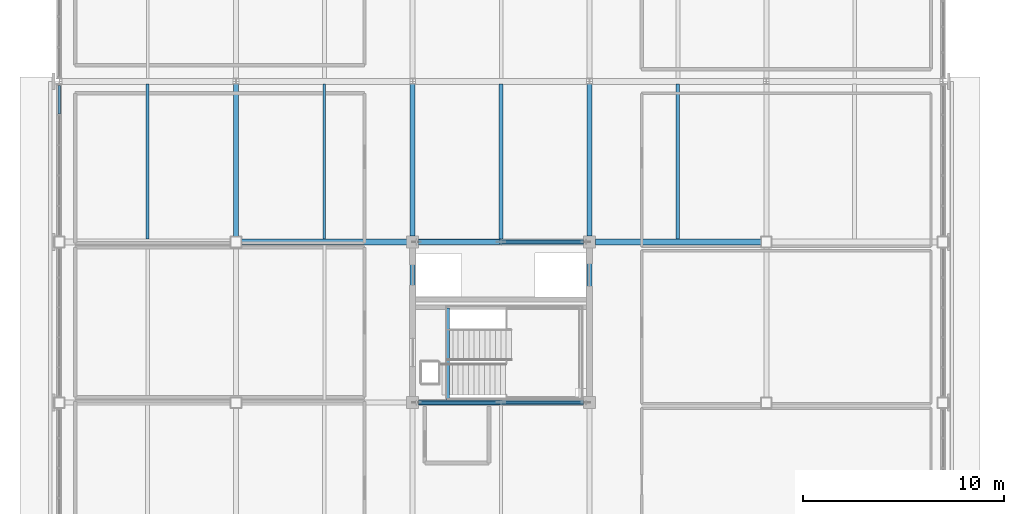
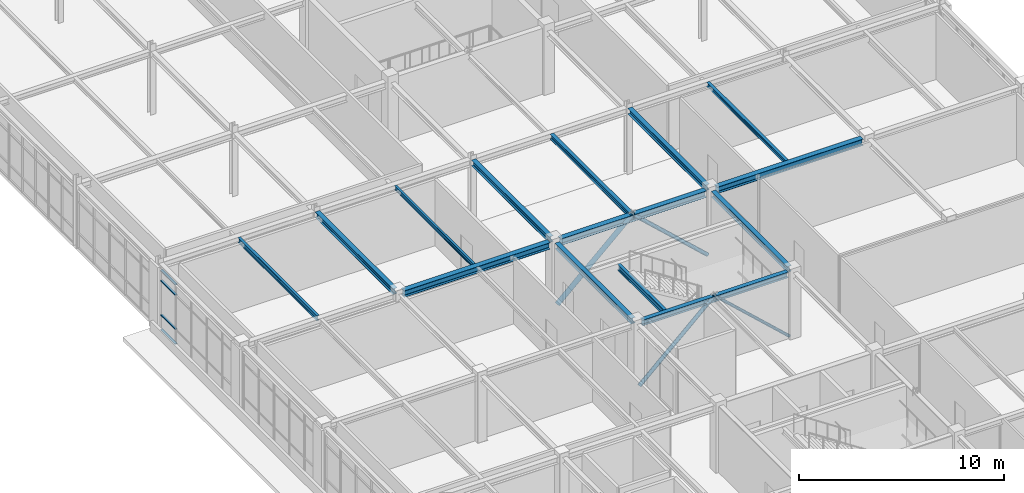
# One storey, part 15 of 64: 14 beams, 8 members, 1 element without a shape of its own.
"""IFC4 building model written with IfcOpenShell, lengths in metres."""

from ifc_helpers import new_model, si_unit, direction, frame, origin, origin_2d, place, context, subcontext, project, spatial, rectangle, hollow_circle, i_section, extrude, material, material_profile, profile_set, type_object, element, aggregate, save


model = new_model("IFC4")

# Units and contexts
model_context = context("Model", 3, precision=1e-05, world=origin(), true_north=direction((0.0, 1.0)))
body_context = subcontext(model_context, "Body", "Model", "MODEL_VIEW")
ifc_project = project(units=[si_unit("LENGTHUNIT", "METRE"), si_unit("AREAUNIT", "SQUARE_METRE"), si_unit("VOLUMEUNIT", "CUBIC_METRE"), si_unit("PLANEANGLEUNIT", "RADIAN"), si_unit("MASSUNIT", "GRAM", prefix="KILO")], contexts=[model_context])

# Site, building, storey
site_placement = place(None, origin())
site = spatial("IfcSite", under=ifc_project, at=site_placement, CompositionType="ELEMENT")
building_placement = place(site_placement, origin())
building = spatial("IfcBuilding", under=site, at=building_placement, Name="Zhaolan Boulevard Law Courts", CompositionType="ELEMENT")
storey_placement = place(building_placement, frame((0.0, 0.0, 20.39990234375)))
storey = spatial("IfcBuildingStorey", under=building, at=storey_placement, Name="L04", CompositionType="ELEMENT", Elevation=20.39990234375)

# Members
ifc_material_1 = material(Name="Structural steel Q355B", Category="steel")
ifc_material_profile_1 = material_profile(ifc_material_1, hollow_circle(Radius=0.109619140625, WallThickness=0.008056640625, at=origin_2d()), Name="CHS219x8")
ifc_profile_set_1 = profile_set([ifc_material_profile_1], Name="Structural steel Q355B")
member_type_1 = type_object("IfcMemberType", Name="BRACE CHS219", PredefinedType="BRACE", material=ifc_profile_set_1)
for number, where, z_axis, x_axis, name in (
    (1, (26.219970703125, 70.0, 0.030029296875), (-0.73525664892, 0.0, 0.677788802076), (0.0, -1.0, 0.0), "Core Brace BR-W2-L04-N2"),
    (2, (17.780029296875, 62.0, 0.030029296875), (0.73525664892, 0.0, 0.677788802076), (0.0, 1.0, 0.0), "Core Brace BR-W2-L04-S1"),
):
    element("IfcMember", number, at=place(storey_placement, frame(where, z_axis=z_axis, x_axis=x_axis)), inside=storey, type_object=member_type_1, Name=name, PredefinedType="BRACE", context=body_context, shape_type="SweptSolid", body=[
        extrude(hollow_circle(Radius=0.109619140625, WallThickness=0.008056640625, at=origin_2d()), origin(), (0.0, 0.0, 1.0), 5.739501953125),
    ])
ifc_material_2 = material(Name="Structural steel Q355B", Category="steel")
ifc_material_profile_2 = material_profile(ifc_material_2, hollow_circle(Radius=0.136474609375, WallThickness=0.010009765625, at=origin_2d()), Name="CHS273x10")
ifc_profile_set_2 = profile_set([ifc_material_profile_2], Name="Structural steel Q355B")
member_type_2 = type_object("IfcMemberType", Name="BRACE CHS273", PredefinedType="BRACE", material=ifc_profile_set_2)
member_1_placement = place(storey_placement, frame((17.780029296875, 70.0, 0.030029296875), z_axis=(0.73525664892, 0.0, 0.677788802076), x_axis=(0.0, 1.0, 0.0)))
element("IfcMember", 3, at=member_1_placement, inside=storey, type_object=member_type_2, Name="Core Brace BR-W2-L04-N1", PredefinedType="BRACE", context=body_context, shape_type="SweptSolid", body=[
    extrude(hollow_circle(Radius=0.136474609375, WallThickness=0.010009765625, at=origin_2d()), origin(), (0.0, 0.0, 1.0), 5.739501953125),
])

# Curtain wall, members
ifc_material_3 = material(Name="Thermally broken aluminium and low-E glazing", Category="aluminium")
curtain_wall_type = type_object("IfcCurtainWallType", Name="CURTAIN WALL M3", PredefinedType="USERDEFINED", material=ifc_material_3)
curtain_wall_placement = place(storey_placement, origin())
curtain_wall = element("IfcCurtainWall", 4, at=curtain_wall_placement, inside=storey, type_object=curtain_wall_type, Name="Curtain Wall CW-L04-195", ObjectType="CURTAIN WALL", PredefinedType="USERDEFINED")
ifc_material_4 = material(Name="Fluorocarbon-coated aluminium 6063-T6", Category="aluminium")
ifc_material_profile_3 = material_profile(ifc_material_4, rectangle(XDim=0.1201171875, YDim=0.06005859375, at=origin_2d()), Name="AL60x120")
ifc_profile_set_3 = profile_set([ifc_material_profile_3], Name="Fluorocarbon-coated aluminium 6063-T6")
member_type_3 = type_object("IfcMemberType", Name="CWTRANSOM 60X120", PredefinedType="USERDEFINED", material=ifc_profile_set_3)
member_2_placement = place(storey_placement, frame((0.0, 77.7880859375, 0.030029296875), z_axis=(0.0, -1.0, 0.0), x_axis=(1.0, 0.0, 0.0)))
member_2 = element("IfcMember", 5, at=member_2_placement, type_object=member_type_3, Name="CW-L04-195 transom 1.1", ObjectType="TRANSOM", PredefinedType="USERDEFINED", context=body_context, shape_type="SweptSolid", body=[
    extrude(rectangle(XDim=0.1201171875, YDim=0.06005859375, at=origin_2d()), origin(), (0.0, 0.0, 1.0), 1.42431640625),
])
member_3_placement = place(storey_placement, frame((0.0, 77.7880859375, 0.900146484375), z_axis=(0.0, -1.0, 0.0), x_axis=(1.0, 0.0, 0.0)))
member_3 = element("IfcMember", 6, at=member_3_placement, type_object=member_type_3, Name="CW-L04-195 transom 1.2", ObjectType="TRANSOM", PredefinedType="USERDEFINED", context=body_context, shape_type="SweptSolid", body=[
    extrude(rectangle(XDim=0.1201171875, YDim=0.06005859375, at=origin_2d()), origin(), (0.0, 0.0, 1.0), 1.42431640625),
])
member_4_placement = place(storey_placement, frame((0.0, 77.7880859375, 2.943115234375), z_axis=(0.0, -1.0, 0.0), x_axis=(1.0, 0.0, 0.0)))
member_4 = element("IfcMember", 7, at=member_4_placement, type_object=member_type_3, Name="CW-L04-195 transom 1.3", ObjectType="TRANSOM", PredefinedType="USERDEFINED", context=body_context, shape_type="SweptSolid", body=[
    extrude(rectangle(XDim=0.1201171875, YDim=0.06005859375, at=origin_2d()), origin(), (0.0, 0.0, 1.0), 1.42431640625),
])
member_5_placement = place(storey_placement, frame((0.0, 77.7880859375, 3.56298828125), z_axis=(0.0, -1.0, 0.0), x_axis=(1.0, 0.0, 0.0)))
member_5 = element("IfcMember", 8, at=member_5_placement, type_object=member_type_3, Name="CW-L04-195 transom 1.4", ObjectType="TRANSOM", PredefinedType="USERDEFINED", context=body_context, shape_type="SweptSolid", body=[
    extrude(rectangle(XDim=0.1201171875, YDim=0.06005859375, at=origin_2d()), origin(), (0.0, 0.0, 1.0), 1.42431640625),
])
aggregate(curtain_wall, [member_2, member_3, member_4, member_5])

# Beams
ifc_material_5 = material(Name="Structural steel Q355B", Category="steel")
ifc_material_profile_4 = material_profile(ifc_material_5, i_section(OverallWidth=0.25, OverallDepth=0.340087890625, WebThickness=0.009033203125, FlangeThickness=0.013916015625, FilletRadius=0.01611328125, at=origin_2d()), Name="HM340x250")
ifc_profile_set_4 = profile_set([ifc_material_profile_4], Name="Structural steel Q355B")
beam_type_1 = type_object("IfcBeamType", Name="GIRDER HM340", PredefinedType="BEAM", material=ifc_profile_set_4)
beam_1_placement = place(storey_placement, frame((8.800048828125, 70.27099609375, 3.778076171875), z_axis=(0.0, 1.0, 0.0), x_axis=(-1.0, 0.0, 0.0)))
element("IfcBeam", 9, at=beam_1_placement, inside=storey, type_object=beam_type_1, Name="Beam BY-L05-2-K-L", PredefinedType="BEAM", context=body_context, shape_type="SweptSolid", body=[
    extrude(i_section(OverallWidth=0.25, OverallDepth=0.340087890625, WebThickness=0.009033203125, FlangeThickness=0.013916015625, FilletRadius=0.01611328125, at=origin_2d()), origin(), (0.0, 0.0, 1.0), 7.5830078125),
])
beam_2_placement = place(storey_placement, frame((17.60009765625, 62.2958984375, 3.778076171875), z_axis=(0.0, 1.0, 0.0), x_axis=(-1.0, 0.0, 0.0)))
element("IfcBeam", 10, at=beam_2_placement, inside=storey, type_object=beam_type_1, Name="Beam BY-L05-3-J-K", PredefinedType="BEAM", context=body_context, shape_type="SweptSolid", body=[
    extrude(i_section(OverallWidth=0.25, OverallDepth=0.340087890625, WebThickness=0.009033203125, FlangeThickness=0.013916015625, FilletRadius=0.01611328125, at=origin_2d()), origin(), (0.0, 0.0, 1.0), 7.408203125),
])
beam_3_placement = place(storey_placement, frame((17.60009765625, 70.2958984375, 3.778076171875), z_axis=(0.0, 1.0, 0.0), x_axis=(-1.0, 0.0, 0.0)))
element("IfcBeam", 11, at=beam_3_placement, inside=storey, type_object=beam_type_1, Name="Beam BY-L05-3-K-L", PredefinedType="BEAM", context=body_context, shape_type="SweptSolid", body=[
    extrude(i_section(OverallWidth=0.25, OverallDepth=0.340087890625, WebThickness=0.009033203125, FlangeThickness=0.013916015625, FilletRadius=0.01611328125, at=origin_2d()), origin(), (0.0, 0.0, 1.0), 7.55810546875),
])
beam_4_placement = place(storey_placement, frame((26.39990234375, 62.2958984375, 3.778076171875), z_axis=(0.0, 1.0, 0.0), x_axis=(-1.0, 0.0, 0.0)))
element("IfcBeam", 12, at=beam_4_placement, inside=storey, type_object=beam_type_1, Name="Beam BY-L05-4-J-K", PredefinedType="BEAM", context=body_context, shape_type="SweptSolid", body=[
    extrude(i_section(OverallWidth=0.25, OverallDepth=0.340087890625, WebThickness=0.009033203125, FlangeThickness=0.013916015625, FilletRadius=0.01611328125, at=origin_2d()), origin(), (0.0, 0.0, 1.0), 7.408203125),
])
beam_5_placement = place(storey_placement, frame((26.39990234375, 70.2958984375, 3.778076171875), z_axis=(0.0, 1.0, 0.0), x_axis=(-1.0, 0.0, 0.0)))
element("IfcBeam", 13, at=beam_5_placement, inside=storey, type_object=beam_type_1, Name="Beam BY-L05-4-K-L", PredefinedType="BEAM", context=body_context, shape_type="SweptSolid", body=[
    extrude(i_section(OverallWidth=0.25, OverallDepth=0.340087890625, WebThickness=0.009033203125, FlangeThickness=0.013916015625, FilletRadius=0.01611328125, at=origin_2d()), origin(), (0.0, 0.0, 1.0), 7.55810546875),
])
ifc_material_6 = material(Name="Structural steel Q355B", Category="steel")
ifc_material_profile_5 = material_profile(ifc_material_6, i_section(OverallWidth=0.300048828125, OverallDepth=0.389892578125, WebThickness=0.010009765625, FlangeThickness=0.01611328125, FilletRadius=0.01806640625, at=origin_2d()), Name="HM390x300")
ifc_profile_set_5 = profile_set([ifc_material_profile_5], Name="Structural steel Q355B")
beam_type_2 = type_object("IfcBeamType", Name="GIRDER HM390", PredefinedType="BEAM", material=ifc_profile_set_5)
beam_6_placement = place(storey_placement, frame((9.071044921875, 70.0, 3.753173828125), z_axis=(1.0, 0.0, 0.0), x_axis=(0.0, 1.0, 0.0)))
element("IfcBeam", 14, at=beam_6_placement, inside=storey, type_object=beam_type_2, Name="Beam BX-L05-2-3-K", PredefinedType="BEAM", context=body_context, shape_type="SweptSolid", body=[
    extrude(i_section(OverallWidth=0.300048828125, OverallDepth=0.389892578125, WebThickness=0.010009765625, FlangeThickness=0.01611328125, FilletRadius=0.01806640625, at=origin_2d()), origin(), (0.0, 0.0, 1.0), 8.23291015625),
])
beam_7_placement = place(storey_placement, frame((17.89599609375, 70.0, 3.753173828125), z_axis=(1.0, 0.0, 0.0), x_axis=(0.0, 1.0, 0.0)))
element("IfcBeam", 15, at=beam_7_placement, inside=storey, type_object=beam_type_2, Name="Beam BX-L05-3-4-K", PredefinedType="BEAM", context=body_context, shape_type="SweptSolid", body=[
    extrude(i_section(OverallWidth=0.300048828125, OverallDepth=0.389892578125, WebThickness=0.010009765625, FlangeThickness=0.01611328125, FilletRadius=0.01806640625, at=origin_2d()), origin(), (0.0, 0.0, 1.0), 8.2080078125),
])
beam_8_placement = place(storey_placement, frame((26.696044921875, 70.0, 3.753173828125), z_axis=(1.0, 0.0, 0.0), x_axis=(0.0, 1.0, 0.0)))
element("IfcBeam", 16, at=beam_8_placement, inside=storey, type_object=beam_type_2, Name="Beam BX-L05-4-5-K", PredefinedType="BEAM", context=body_context, shape_type="SweptSolid", body=[
    extrude(i_section(OverallWidth=0.300048828125, OverallDepth=0.389892578125, WebThickness=0.010009765625, FlangeThickness=0.01611328125, FilletRadius=0.01806640625, at=origin_2d()), origin(), (0.0, 0.0, 1.0), 8.23291015625),
])
ifc_material_7 = material(Name="Structural steel Q355B", Category="steel")
ifc_material_profile_6 = material_profile(ifc_material_7, i_section(OverallWidth=0.175048828125, OverallDepth=0.243896484375, WebThickness=0.007080078125, FlangeThickness=0.010986328125, FilletRadius=0.012939453125, at=origin_2d()), Name="HM244x175")
ifc_profile_set_6 = profile_set([ifc_material_profile_6], Name="Structural steel Q355B")
beam_type_3 = type_object("IfcBeamType", Name="JOIST HM244", PredefinedType="JOIST", material=ifc_profile_set_6)
beam_9_placement = place(storey_placement, frame((30.800048828125, 70.14599609375, 3.826171875), z_axis=(0.0, 1.0, 0.0), x_axis=(-1.0, 0.0, 0.0)))
element("IfcBeam", 17, at=beam_9_placement, inside=storey, type_object=beam_type_3, Name="Composite Joist J-L05-4K", PredefinedType="JOIST", context=body_context, shape_type="SweptSolid", body=[
    extrude(i_section(OverallWidth=0.175048828125, OverallDepth=0.243896484375, WebThickness=0.007080078125, FlangeThickness=0.010986328125, FilletRadius=0.012939453125, at=origin_2d()), origin(), (0.0, 0.0, 1.0), 7.7080078125),
])
ifc_material_8 = material(Name="Structural steel Q355B", Category="steel")
ifc_material_profile_7 = material_profile(ifc_material_8, i_section(OverallWidth=0.199951171875, OverallDepth=0.2939453125, WebThickness=0.008056640625, FlangeThickness=0.011962890625, FilletRadius=0.01611328125, at=origin_2d()), Name="HM294x200")
ifc_profile_set_7 = profile_set([ifc_material_profile_7], Name="Structural steel Q355B")
beam_type_4 = type_object("IfcBeamType", Name="JOIST HM294", PredefinedType="JOIST", material=ifc_profile_set_7)
beam_10_placement = place(storey_placement, frame((22.0, 70.14599609375, 3.801025390625), z_axis=(0.0, 1.0, 0.0), x_axis=(-1.0, 0.0, 0.0)))
element("IfcBeam", 18, at=beam_10_placement, inside=storey, type_object=beam_type_4, Name="Composite Joist J-L05-3K", PredefinedType="JOIST", context=body_context, shape_type="SweptSolid", body=[
    extrude(i_section(OverallWidth=0.199951171875, OverallDepth=0.2939453125, WebThickness=0.008056640625, FlangeThickness=0.011962890625, FilletRadius=0.01611328125, at=origin_2d()), origin(), (0.0, 0.0, 1.0), 7.7080078125),
])
ifc_material_9 = material(Name="Structural steel Q355B", Category="steel")
ifc_material_profile_8 = material_profile(ifc_material_9, i_section(OverallWidth=0.125, OverallDepth=0.25, WebThickness=0.006103515625, FlangeThickness=0.009033203125, FilletRadius=0.010009765625, at=origin_2d()), Name="HN250x125")
ifc_profile_set_8 = profile_set([ifc_material_profile_8], Name="Structural steel Q355B")
beam_type_5 = type_object("IfcBeamType", Name="JOIST HN250", PredefinedType="JOIST", material=ifc_profile_set_8)
beam_11_placement = place(storey_placement, frame((13.199951171875, 70.14599609375, 3.822998046875), z_axis=(0.0, 1.0, 0.0), x_axis=(-1.0, 0.0, 0.0)))
element("IfcBeam", 19, at=beam_11_placement, inside=storey, type_object=beam_type_5, Name="Composite Joist J-L05-2K", PredefinedType="JOIST", context=body_context, shape_type="SweptSolid", body=[
    extrude(i_section(OverallWidth=0.125, OverallDepth=0.25, WebThickness=0.006103515625, FlangeThickness=0.009033203125, FilletRadius=0.010009765625, at=origin_2d()), origin(), (0.0, 0.0, 1.0), 7.7080078125),
])
ifc_material_10 = material(Name="Structural steel Q355B", Category="steel")
ifc_material_profile_9 = material_profile(ifc_material_10, i_section(OverallWidth=0.14990234375, OverallDepth=0.300048828125, WebThickness=0.006591796875, FlangeThickness=0.009033203125, FilletRadius=0.010986328125, at=origin_2d()), Name="HN300x150")
ifc_profile_set_9 = profile_set([ifc_material_profile_9], Name="Structural steel Q355B")
beam_type_6 = type_object("IfcBeamType", Name="JOIST HN300", PredefinedType="JOIST", material=ifc_profile_set_9)
beam_12_placement = place(storey_placement, frame((4.39990234375, 70.14599609375, 3.798095703125), z_axis=(0.0, 1.0, 0.0), x_axis=(-1.0, 0.0, 0.0)))
element("IfcBeam", 20, at=beam_12_placement, inside=storey, type_object=beam_type_6, Name="Composite Joist J-L05-1K", PredefinedType="JOIST", context=body_context, shape_type="SweptSolid", body=[
    extrude(i_section(OverallWidth=0.14990234375, OverallDepth=0.300048828125, WebThickness=0.006591796875, FlangeThickness=0.009033203125, FilletRadius=0.010986328125, at=origin_2d()), origin(), (0.0, 0.0, 1.0), 7.7080078125),
])
ifc_material_11 = material(Name="Structural steel Q355B", Category="steel")
ifc_material_profile_10 = material_profile(ifc_material_11, i_section(OverallWidth=0.25, OverallDepth=0.340087890625, WebThickness=0.009033203125, FlangeThickness=0.013916015625, FilletRadius=0.01611328125, at=origin_2d()), Name="HM340x250")
ifc_profile_set_10 = profile_set([ifc_material_profile_10], Name="Structural steel Q355B")
beam_type_7 = type_object("IfcBeamType", Name="SPANDREL HM340", PredefinedType="SPANDREL", material=ifc_profile_set_10)
beam_13_placement = place(storey_placement, frame((17.89599609375, 62.0, 3.778076171875), z_axis=(1.0, 0.0, 0.0), x_axis=(0.0, 1.0, 0.0)))
element("IfcBeam", 21, at=beam_13_placement, inside=storey, type_object=beam_type_7, Name="Beam BX-L05-3-4-J", PredefinedType="SPANDREL", context=body_context, shape_type="SweptSolid", body=[
    extrude(i_section(OverallWidth=0.25, OverallDepth=0.340087890625, WebThickness=0.009033203125, FlangeThickness=0.013916015625, FilletRadius=0.01611328125, at=origin_2d()), origin(), (0.0, 0.0, 1.0), 8.2080078125),
])
ifc_material_12 = material(Name="Structural steel Q355B", Category="steel")
ifc_material_profile_11 = material_profile(ifc_material_12, i_section(OverallWidth=0.175048828125, OverallDepth=0.35009765625, WebThickness=0.007080078125, FlangeThickness=0.010986328125, FilletRadius=0.012939453125, at=origin_2d()), Name="HN350x175")
ifc_profile_set_11 = profile_set([ifc_material_profile_11], Name="Structural steel Q355B")
beam_type_8 = type_object("IfcBeamType", Name="STAIR TRIMMER HN350", PredefinedType="BEAM", material=ifc_profile_set_11)
beam_14_placement = place(storey_placement, frame((19.3349609375, 62.139892578125, 3.735107421875), z_axis=(0.0, 1.0, 0.0), x_axis=(-1.0, 0.0, 0.0)))
element("IfcBeam", 22, at=beam_14_placement, inside=storey, type_object=beam_type_8, Name="Stair Landing Trimmer Beam STB-ST02-L05", PredefinedType="BEAM", context=body_context, shape_type="SweptSolid", body=[
    extrude(i_section(OverallWidth=0.175048828125, OverallDepth=0.35009765625, WebThickness=0.007080078125, FlangeThickness=0.010986328125, FilletRadius=0.012939453125, at=origin_2d()), origin(), (0.0, 0.0, 1.0), 4.570068359375),
])

# Member
ifc_material_13 = material(Name="Structural steel Q355B", Category="steel")
ifc_material_profile_12 = material_profile(ifc_material_13, hollow_circle(Radius=0.083984375, WallThickness=0.008056640625, at=origin_2d()), Name="CHS168x8")
ifc_profile_set_12 = profile_set([ifc_material_profile_12], Name="Structural steel Q355B")
member_type_4 = type_object("IfcMemberType", Name="STRUT CHS168", PredefinedType="BRACE", material=ifc_profile_set_12)
member_6_placement = place(storey_placement, frame((26.219970703125, 62.0, 0.030029296875), z_axis=(-0.73525664892, 0.0, 0.677788802076), x_axis=(0.0, -1.0, 0.0)))
element("IfcMember", 23, at=member_6_placement, inside=storey, type_object=member_type_4, Name="Core Brace BR-W2-L04-S2", PredefinedType="BRACE", context=body_context, shape_type="SweptSolid", body=[
    extrude(hollow_circle(Radius=0.083984375, WallThickness=0.008056640625, at=origin_2d()), origin(), (0.0, 0.0, 1.0), 5.739501953125),
])

save(model, "model.ifc")
